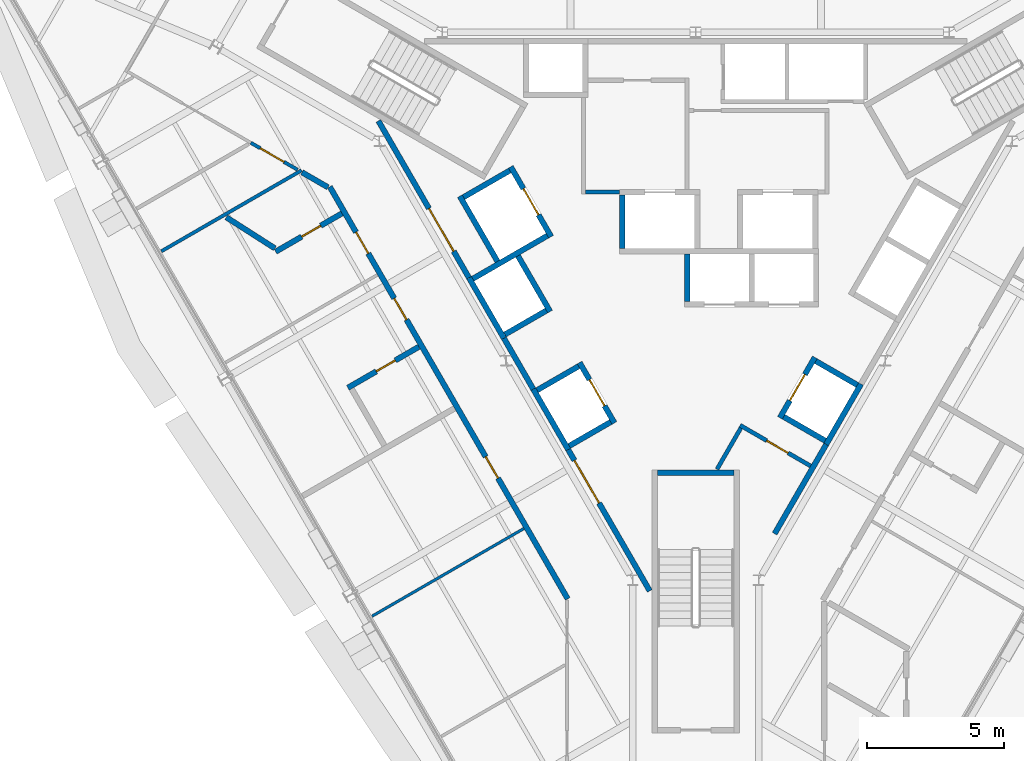
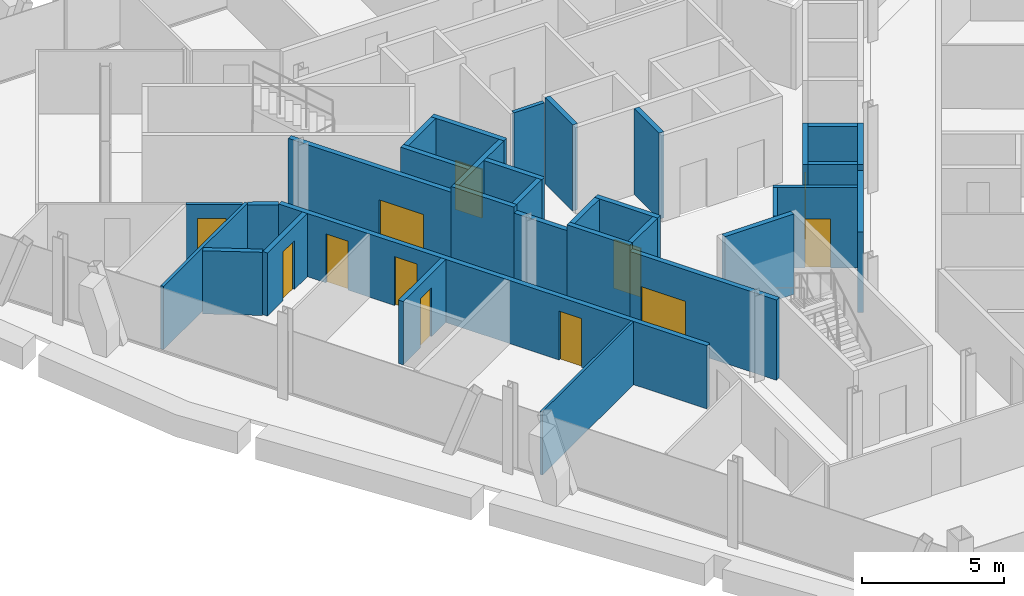
# One storey, part 10 of 15: 33 walls, 12 doors, 12 openings.
"""IFC4 building model written with IfcOpenShell, lengths in metres."""

from ifc_helpers import new_model, si_unit, direction, frame, frame_2d, origin, place, context, subcontext, project, spatial, rectangle, extrude, material, layer, layer_set, type_object, element, fill, save


model = new_model("IFC4")

# Units and contexts
model_context = context("Model", 3, precision=1e-05, world=origin(), true_north=direction((0.0, 1.0)))
body_context = subcontext(model_context, "Body", "Model", "MODEL_VIEW")
ifc_project = project(units=[si_unit("LENGTHUNIT", "METRE"), si_unit("AREAUNIT", "SQUARE_METRE"), si_unit("VOLUMEUNIT", "CUBIC_METRE"), si_unit("PLANEANGLEUNIT", "RADIAN"), si_unit("MASSUNIT", "GRAM", prefix="KILO")], contexts=[model_context])

# Site, building, storey
site_placement = place(None, origin())
site = spatial("IfcSite", under=ifc_project, at=site_placement, CompositionType="ELEMENT")
building_placement = place(site_placement, origin())
building = spatial("IfcBuilding", under=site, at=building_placement, Name="Verrane Prism Tower", CompositionType="ELEMENT")
storey_placement = place(building_placement, frame((0.0, 0.0, 250.800048828125)))
storey = spatial("IfcBuildingStorey", under=building, at=storey_placement, Name="L63", CompositionType="ELEMENT", Elevation=250.800048828125)

# Wall, opening, door
ifc_material_1 = material(Name="Gypsum board partition", Category="other")
ifc_layer_1 = layer(ifc_material_1, 0.199951171875)
ifc_layer_set_1 = layer_set([ifc_layer_1], Name="CW-200 core boundary wall 2 h")
wall_type_1 = type_object("IfcWallType", Name="CW-200 core boundary wall 2 h", PredefinedType="PARTITIONING", material=ifc_layer_set_1)
wall_1_placement = place(storey_placement, frame((-11.590576171875, 4.7548828125, 0.0), z_axis=(0.0, 0.0, 1.0), x_axis=(0.500043977787, -0.866000011708, 0.0)))
wall_1 = element("IfcWall", 1, at=wall_1_placement, inside=storey, type_object=wall_type_1, Name="Core boundary wall CW3-001", PredefinedType="PARTITIONING", context=body_context, shape_type="SweptSolid", body=[
    extrude(rectangle(XDim=6.61669921875, YDim=0.199951171875, at=frame_2d((3.308349609375, 0.0))), origin(), (0.0, 0.0, 1.0), 3.449951171875),
])
opening_1_placement = place(wall_1_placement, frame((3.695068359375, 0.0, 0.0)))
opening_1 = element("IfcOpeningElement", 2, at=opening_1_placement, cuts=wall_1, Name="Opening D62510", PredefinedType="OPENING", context=body_context, shape_type="SweptSolid", body=[
    extrude(rectangle(XDim=1.800048828125, YDim=2.10009765625, at=frame_2d((0.89990234375, 1.050048828125))), frame((0.0, 0.10986328125, 0.0), z_axis=(0.0, -1.0, 0.0), x_axis=(1.0, 0.0, 0.0)), (0.0, 0.0, 1.0), 0.219970703125),
])
ifc_material_2 = material(Name="Timber veneered door leaf", Category="wood")
door_type_1 = type_object("IfcDoorType", Name="DR-1800x2100 FD60 double leaf lift lobby", OperationType="NOTDEFINED", PredefinedType="DOOR", material=ifc_material_2)
door_1_placement = place(opening_1_placement, origin())
door_1 = element("IfcDoor", 3, at=door_1_placement, inside=storey, type_object=door_type_1, Name="Lift lobby door D62510", OperationType="DOUBLE_DOOR_SINGLE_SWING", OverallHeight=2.10009765625, OverallWidth=1.800048828125, PredefinedType="DOOR", context=body_context, shape_type="SweptSolid", body=[
    extrude(rectangle(XDim=1.800048828125, YDim=2.10009765625, at=frame_2d((0.89990234375, 1.050048828125))), frame((0.0, 0.02490234375, 0.0), z_axis=(0.0, -1.0, 0.0), x_axis=(1.0, 0.0, 0.0)), (0.0, 0.0, 1.0), 0.050048828125),
])
fill(opening_1, door_1)

# Wall
wall_2_placement = place(storey_placement, frame((-7.0048828125, -3.18701171875, 0.0), z_axis=(0.0, 0.0, 1.0), x_axis=(0.499689606989, -0.866204535123, 0.0)))
element("IfcWall", 4, at=wall_2_placement, inside=storey, type_object=wall_type_1, Name="Core boundary wall CW3-003", PredefinedType="PARTITIONING", context=body_context, shape_type="SweptSolid", body=[
    extrude(rectangle(XDim=2.144775390625, YDim=0.199951171875, at=frame_2d((1.072265625, 0.0))), origin(), (0.0, 0.0, 1.0), 3.449951171875),
])

# Wall, opening, door
wall_3_placement = place(storey_placement, frame((-4.655029296875, -7.257080078125, 0.0), z_axis=(0.0, 0.0, 1.0), x_axis=(0.499966124405, -0.866044960985, 0.0)))
wall_3 = element("IfcWall", 5, at=wall_3_placement, inside=storey, type_object=wall_type_1, Name="Core boundary wall CW3-004", PredefinedType="PARTITIONING", context=body_context, shape_type="SweptSolid", body=[
    extrude(rectangle(XDim=5.95556640625, YDim=0.199951171875, at=frame_2d((2.977783203125, 0.0))), origin(), (0.0, 0.0, 1.0), 3.449951171875),
])
opening_2_placement = place(wall_3_placement, frame((0.449951171875, 0.0, 0.0)))
opening_2 = element("IfcOpeningElement", 6, at=opening_2_placement, cuts=wall_3, Name="Opening D62511", PredefinedType="OPENING", context=body_context, shape_type="SweptSolid", body=[
    extrude(rectangle(XDim=1.800048828125, YDim=2.10009765625, at=frame_2d((0.89990234375, 1.050048828125))), frame((0.0, 0.10986328125, 0.0), z_axis=(0.0, -1.0, 0.0), x_axis=(1.0, 0.0, 0.0)), (0.0, 0.0, 1.0), 0.219970703125),
])
door_2_placement = place(opening_2_placement, origin())
door_2 = element("IfcDoor", 7, at=door_2_placement, inside=storey, type_object=door_type_1, Name="Lift lobby door D62511", OperationType="DOUBLE_DOOR_SINGLE_SWING", OverallHeight=2.10009765625, OverallWidth=1.800048828125, PredefinedType="DOOR", context=body_context, shape_type="SweptSolid", body=[
    extrude(rectangle(XDim=1.800048828125, YDim=2.10009765625, at=frame_2d((0.89990234375, 1.050048828125))), frame((0.0, 0.02490234375, 0.0), z_axis=(0.0, -1.0, 0.0), x_axis=(1.0, 0.0, 0.0)), (0.0, 0.0, 1.0), 0.050048828125),
])
fill(opening_2, door_2)

# Walls
wall_4_placement = place(storey_placement, frame((2.884033203125, -10.324951171875, 0.0), z_axis=(0.0, 0.0, 1.0), x_axis=(0.500094932804, 0.865970587366, 0.0)))
element("IfcWall", 8, at=wall_4_placement, inside=storey, type_object=wall_type_1, Name="Core boundary wall CW3-006", PredefinedType="PARTITIONING", context=body_context, shape_type="SweptSolid", body=[
    extrude(rectangle(XDim=3.763427734375, YDim=0.199951171875, at=frame_2d((1.8818359375, 0.0))), origin(), (0.0, 0.0, 1.0), 3.449951171875),
])
ifc_material_3 = material(Name="Concrete C40/50", Category="concrete")
ifc_layer_2 = layer(ifc_material_3, 0.199951171875)
ifc_layer_set_2 = layer_set([ifc_layer_2], Name="CW-200 stair core wall concrete C40/50 3 h")
wall_type_2 = type_object("IfcWallType", Name="CW-200 stair core wall concrete C40/50 3 h", PredefinedType="PARTITIONING", material=ifc_layer_set_2)
wall_5_placement = place(storey_placement, frame((-1.39990234375, -8.10009765625, 0.0), z_axis=(0.0, 0.0, 1.0), x_axis=(1.0, 0.0, 0.0)))
element("IfcWall", 9, at=wall_5_placement, inside=storey, type_object=wall_type_2, Name="Stair 3 enclosure wall", PredefinedType="PARTITIONING", context=body_context, shape_type="SweptSolid", body=[
    extrude(rectangle(XDim=2.7998046875, YDim=0.199951171875, at=frame_2d((1.39990234375, 0.0))), origin(), (0.0, 0.0, 1.0), 3.449951171875),
])
ifc_material_4 = material(Name="Gypsum board shaft wall assembly", Category="other")
ifc_layer_3 = layer(ifc_material_4, 0.199951171875)
ifc_layer_set_3 = layer_set([ifc_layer_3], Name="HW-200 lift shaft wall 2 h")
wall_type_3 = type_object("IfcWallType", Name="HW-200 lift shaft wall 2 h", PredefinedType="PARTITIONING", material=ifc_layer_set_3)
for number, where, z_axis, x_axis, name in (
    (10, (-4.61962890625, -7.118408203125, 0.0), (0.0, 0.0, 1.0), (0.866036909293, 0.499980071345, 0.0), "Lift shaft wall"),
    (11, (-5.794677734375, -5.083251953125, 0.0), (0.0, 0.0, 1.0), (0.866036909293, 0.499980071345, 0.0), "Lift shaft wall"),
    (12, (-6.9697265625, -3.048095703125, 0.0), (0.0, 0.0, 1.0), (0.866036909293, 0.499980071345, 0.0), "Lift shaft wall"),
):
    element("IfcWall", number, at=place(storey_placement, frame(where, z_axis=z_axis, x_axis=x_axis)), inside=storey, type_object=wall_type_3, Name=name, PredefinedType="PARTITIONING", context=body_context, shape_type="SweptSolid", body=[
        extrude(rectangle(XDim=1.75, YDim=0.199951171875, at=frame_2d((0.875, 0.0))), origin(), (0.0, 0.0, 1.0), 3.699951171875),
    ])
wall_6_placement = place(storey_placement, frame((-8.14453125, -1.012939453125, 0.0), z_axis=(0.0, 0.0, 1.0), x_axis=(0.866016494683, 0.500015430699, 0.0)))
element("IfcWall", 13, at=wall_6_placement, inside=storey, type_object=wall_type_3, Name="Lift shaft wall", PredefinedType="PARTITIONING", context=body_context, shape_type="SweptSolid", body=[
    extrude(rectangle(XDim=3.14990234375, YDim=0.199951171875, at=frame_2d((1.574951171875, 0.0))), origin(), (0.0, 0.0, 1.0), 3.699951171875),
])
wall_7_placement = place(storey_placement, frame((-8.48046875, 1.968505859375, 0.0), z_axis=(0.0, 0.0, 1.0), x_axis=(0.866000020948, 0.500043961785, 0.0)))
element("IfcWall", 14, at=wall_7_placement, inside=storey, type_object=wall_type_3, Name="Lift shaft wall", PredefinedType="PARTITIONING", context=body_context, shape_type="SweptSolid", body=[
    extrude(rectangle(XDim=1.949951171875, YDim=0.199951171875, at=frame_2d((0.97509765625, 0.0))), origin(), (0.0, 0.0, 1.0), 3.699951171875),
])
wall_8_placement = place(storey_placement, frame((4.766357421875, -7.064697265625, 0.0), z_axis=(0.0, 0.0, 1.0), x_axis=(0.499948979701, 0.866054858364, 0.0)))
element("IfcWall", 15, at=wall_8_placement, inside=storey, type_object=wall_type_3, Name="Lift shaft wall", PredefinedType="PARTITIONING", context=body_context, shape_type="SweptSolid", body=[
    extrude(rectangle(XDim=2.550048828125, YDim=0.199951171875, at=frame_2d((1.27490234375, 0.0))), origin(), (0.0, 0.0, 1.0), 3.699951171875),
])

# Wall, opening, door
wall_9_placement = place(storey_placement, frame((3.077392578125, -6.089599609375, 0.0), z_axis=(0.0, 0.0, 1.0), x_axis=(0.500062241894, 0.865989465428, 0.0)))
wall_9 = element("IfcWall", 16, at=wall_9_placement, inside=storey, type_object=wall_type_3, Name="Lift shaft wall", PredefinedType="PARTITIONING", context=body_context, shape_type="SweptSolid", body=[
    extrude(rectangle(XDim=2.550048828125, YDim=0.199951171875, at=frame_2d((1.27490234375, 0.0))), origin(), (0.0, 0.0, 1.0), 3.699951171875),
])
opening_3_placement = place(wall_9_placement, frame((0.72509765625, 0.0, 0.0)))
opening_3 = element("IfcOpeningElement", 17, at=opening_3_placement, cuts=wall_9, Name="Opening D62505", PredefinedType="OPENING", context=body_context, shape_type="SweptSolid", body=[
    extrude(rectangle(XDim=1.10009765625, YDim=2.10009765625, at=frame_2d((0.550048828125, 1.050048828125))), frame((0.0, 0.10986328125, 0.0), z_axis=(0.0, -1.0, 0.0), x_axis=(1.0, 0.0, 0.0)), (0.0, 0.0, 1.0), 0.219970703125),
])
ifc_material_5 = material(Name="Stainless steel sliding landing door", Category="steel")
door_type_2 = type_object("IfcDoorType", Name="LD-1100x2100 lift landing door FD90 sliding", OperationType="NOTDEFINED", PredefinedType="DOOR", material=ifc_material_5)
door_3_placement = place(opening_3_placement, origin())
door_3 = element("IfcDoor", 18, at=door_3_placement, inside=storey, type_object=door_type_2, Name="Bank B lift 3 landing door", OperationType="SLIDING_TO_LEFT", OverallHeight=2.10009765625, OverallWidth=1.10009765625, PredefinedType="DOOR", context=body_context, shape_type="SweptSolid", body=[
    extrude(rectangle(XDim=1.10009765625, YDim=2.10009765625, at=frame_2d((0.550048828125, 1.050048828125))), frame((0.0, 0.02490234375, 0.0), z_axis=(0.0, -1.0, 0.0), x_axis=(1.0, 0.0, 0.0)), (0.0, 0.0, 1.0), 0.050048828125),
])
fill(opening_3, door_3)

# Walls
wall_10_placement = place(storey_placement, frame((-0.304931640625, -1.85009765625, 0.0), z_axis=(0.0, 0.0, 1.0), x_axis=(0.0, 1.0, 0.0)))
element("IfcWall", 19, at=wall_10_placement, inside=storey, type_object=wall_type_3, Name="Lift shaft wall", PredefinedType="PARTITIONING", context=body_context, shape_type="SweptSolid", body=[
    extrude(rectangle(XDim=1.75, YDim=0.199951171875, at=frame_2d((0.875, 0.0))), origin(), (0.0, 0.0, 1.0), 3.699951171875),
])
wall_11_placement = place(storey_placement, frame((-2.68505859375, 0.10009765625, 0.0), z_axis=(0.0, 0.0, 1.0), x_axis=(0.0, 1.0, 0.0)))
element("IfcWall", 20, at=wall_11_placement, inside=storey, type_object=wall_type_3, Name="Lift shaft wall", PredefinedType="PARTITIONING", context=body_context, shape_type="SweptSolid", body=[
    extrude(rectangle(XDim=1.949951171875, YDim=0.199951171875, at=frame_2d((0.97509765625, 0.0))), origin(), (0.0, 0.0, 1.0), 3.699951171875),
])

# Wall, opening, door
wall_12_placement = place(storey_placement, frame((-5.280029296875, 0.525390625, 0.0), z_axis=(0.0, 0.0, 1.0), x_axis=(-0.500037662692, 0.866003658127, 0.0)))
wall_12 = element("IfcWall", 21, at=wall_12_placement, inside=storey, type_object=wall_type_3, Name="Lift shaft wall", PredefinedType="PARTITIONING", context=body_context, shape_type="SweptSolid", body=[
    extrude(rectangle(XDim=2.949951171875, YDim=0.199951171875, at=frame_2d((1.47509765625, 0.0))), origin(), (0.0, 0.0, 1.0), 3.699951171875),
])
opening_4_placement = place(wall_12_placement, frame((0.925048828125, 0.0, 0.0)))
opening_4 = element("IfcOpeningElement", 22, at=opening_4_placement, cuts=wall_12, Name="Opening D62509", PredefinedType="OPENING", context=body_context, shape_type="SweptSolid", body=[
    extrude(rectangle(XDim=1.10009765625, YDim=2.10009765625, at=frame_2d((0.550048828125, 1.050048828125))), frame((0.0, 0.10986328125, 0.0), z_axis=(0.0, -1.0, 0.0), x_axis=(1.0, 0.0, 0.0)), (0.0, 0.0, 1.0), 0.219970703125),
])
door_4_placement = place(opening_4_placement, origin())
door_4 = element("IfcDoor", 23, at=door_4_placement, inside=storey, type_object=door_type_2, Name="Service lift 1 landing door", OperationType="SLIDING_TO_LEFT", OverallHeight=2.10009765625, OverallWidth=1.10009765625, PredefinedType="DOOR", context=body_context, shape_type="SweptSolid", body=[
    extrude(rectangle(XDim=1.10009765625, YDim=2.10009765625, at=frame_2d((0.550048828125, 1.050048828125))), frame((0.0, 0.02490234375, 0.0), z_axis=(0.0, -1.0, 0.0), x_axis=(1.0, 0.0, 0.0)), (0.0, 0.0, 1.0), 0.050048828125),
])
fill(opening_4, door_4)

wall_13_placement = place(storey_placement, frame((-2.967529296875, -6.280029296875, 0.0), z_axis=(0.0, 0.0, 1.0), x_axis=(-0.499990435942, 0.866030925526, 0.0)))
wall_13 = element("IfcWall", 24, at=wall_13_placement, inside=storey, type_object=wall_type_3, Name="Lift shaft wall", PredefinedType="PARTITIONING", context=body_context, shape_type="SweptSolid", body=[
    extrude(rectangle(XDim=2.5498046875, YDim=0.199951171875, at=frame_2d((1.27490234375, 0.0))), origin(), (0.0, 0.0, 1.0), 3.699951171875),
])
opening_5_placement = place(wall_13_placement, frame((0.72509765625, 0.0, 0.0)))
opening_5 = element("IfcOpeningElement", 25, at=opening_5_placement, cuts=wall_13, Name="Opening D62506", PredefinedType="OPENING", context=body_context, shape_type="SweptSolid", body=[
    extrude(rectangle(XDim=1.10009765625, YDim=2.10009765625, at=frame_2d((0.550048828125, 1.050048828125))), frame((0.0, 0.10986328125, 0.0), z_axis=(0.0, -1.0, 0.0), x_axis=(1.0, 0.0, 0.0)), (0.0, 0.0, 1.0), 0.219970703125),
])
door_5_placement = place(opening_5_placement, origin())
door_5 = element("IfcDoor", 26, at=door_5_placement, inside=storey, type_object=door_type_2, Name="Bank B lift 4 landing door", OperationType="SLIDING_TO_RIGHT", OverallHeight=2.10009765625, OverallWidth=1.10009765625, PredefinedType="DOOR", context=body_context, shape_type="SweptSolid", body=[
    extrude(rectangle(XDim=1.10009765625, YDim=2.10009765625, at=frame_2d((0.550048828125, 1.050048828125))), frame((0.0, 0.02490234375, 0.0), z_axis=(0.0, -1.0, 0.0), x_axis=(1.0, 0.0, 0.0)), (0.0, 0.0, 1.0), 0.050048828125),
])
fill(opening_5, door_5)

# Walls
wall_14_placement = place(storey_placement, frame((-5.317626953125, -2.209716796875, 0.0), z_axis=(0.0, 0.0, 1.0), x_axis=(-0.499938297808, 0.866061024631, 0.0)))
element("IfcWall", 27, at=wall_14_placement, inside=storey, type_object=wall_type_3, Name="Lift shaft wall", PredefinedType="PARTITIONING", context=body_context, shape_type="SweptSolid", body=[
    extrude(rectangle(XDim=2.349853515625, YDim=0.199951171875, at=frame_2d((1.1748046875, 0.0))), origin(), (0.0, 0.0, 1.0), 3.699951171875),
])
wall_15_placement = place(storey_placement, frame((-7.241943359375, -0.37646484375, 0.0), z_axis=(0.0, 0.0, 1.0), x_axis=(-0.499996545922, 0.866027397988, 0.0)))
element("IfcWall", 28, at=wall_15_placement, inside=storey, type_object=wall_type_3, Name="Lift shaft wall", PredefinedType="PARTITIONING", context=body_context, shape_type="SweptSolid", body=[
    extrude(rectangle(XDim=2.75, YDim=0.199951171875, at=frame_2d((1.375, 0.0))), origin(), (0.0, 0.0, 1.0), 3.699951171875),
])
for number, where, z_axis, x_axis, name in (
    (29, (-4.65625, -7.255126953125, 0.0), (0.0, 0.0, 1.0), (-0.499990435942, 0.866030925526, 0.0), "Lift shaft wall"),
    (30, (-7.00634765625, -3.184814453125, 0.0), (0.0, 0.0, 1.0), (-0.499990435942, 0.866030925526, 0.0), "Lift shaft wall"),
):
    element("IfcWall", number, at=place(storey_placement, frame(where, z_axis=z_axis, x_axis=x_axis)), inside=storey, type_object=wall_type_3, Name=name, PredefinedType="PARTITIONING", context=body_context, shape_type="SweptSolid", body=[
        extrude(rectangle(XDim=2.5498046875, YDim=0.199951171875, at=frame_2d((1.27490234375, 0.0))), origin(), (0.0, 0.0, 1.0), 3.699951171875),
    ])
wall_16_placement = place(storey_placement, frame((5.904541015625, -4.892822265625, 0.0), z_axis=(0.0, 0.0, 1.0), x_axis=(-0.866002029911, 0.500040482552, 0.0)))
element("IfcWall", 31, at=wall_16_placement, inside=storey, type_object=wall_type_3, Name="Lift shaft wall", PredefinedType="PARTITIONING", context=body_context, shape_type="SweptSolid", body=[
    extrude(rectangle(XDim=1.749755859375, YDim=0.199951171875, at=frame_2d((0.875, 0.0))), origin(), (0.0, 0.0, 1.0), 3.699951171875),
])
wall_17_placement = place(storey_placement, frame((4.729736328125, -6.927978515625, 0.0), z_axis=(0.0, 0.0, 1.0), x_axis=(-0.866036909293, 0.499980071345, 0.0)))
element("IfcWall", 32, at=wall_17_placement, inside=storey, type_object=wall_type_3, Name="Lift shaft wall", PredefinedType="PARTITIONING", context=body_context, shape_type="SweptSolid", body=[
    extrude(rectangle(XDim=1.75, YDim=0.199951171875, at=frame_2d((0.875, 0.0))), origin(), (0.0, 0.0, 1.0), 3.699951171875),
])
ifc_material_6 = material(Name="Gypsum board partition", Category="other")
ifc_layer_4 = layer(ifc_material_6, 0.14990234375)
ifc_layer_set_4 = layer_set([ifc_layer_4], Name="LF-150 firefighting lobby wall 1 h")
wall_type_4 = type_object("IfcWallType", Name="LF-150 firefighting lobby wall 1 h", PredefinedType="PARTITIONING", material=ifc_layer_set_4)
wall_18_placement = place(storey_placement, frame((-4.02490234375, 2.159912109375, 0.0), z_axis=(0.0, 0.0, 1.0), x_axis=(1.0, 0.0, 0.0)))
element("IfcWall", 33, at=wall_18_placement, inside=storey, type_object=wall_type_4, Name="Firefighting lobby wall LF1-002", PredefinedType="PARTITIONING", context=body_context, shape_type="SweptSolid", body=[
    extrude(rectangle(XDim=1.23779296875, YDim=0.14990234375, at=frame_2d((0.618896484375, 0.0))), origin(), (0.0, 0.0, 1.0), 3.449951171875),
])
ifc_material_7 = material(Name="Gypsum board partition", Category="other")
ifc_layer_5 = layer(ifc_material_7, 0.10009765625)
ifc_layer_set_5 = layer_set([ifc_layer_5], Name="PW-100 room partition")
wall_type_5 = type_object("IfcWallType", Name="PW-100 room partition", PredefinedType="PARTITIONING", material=ifc_layer_set_5)
wall_19_placement = place(storey_placement, frame((-11.82080078125, -13.337158203125, 0.0), z_axis=(0.0, 0.0, 1.0), x_axis=(0.866013405822, 0.500020780506, 0.0)))
element("IfcWall", 34, at=wall_19_placement, inside=storey, type_object=wall_type_5, Name="Room partition 016", PredefinedType="PARTITIONING", context=body_context, shape_type="SweptSolid", body=[
    extrude(rectangle(XDim=6.399169921875, YDim=0.10009765625, at=frame_2d((3.19970703125, 0.0))), origin(), (0.0, 0.0, 1.0), 2.712890625),
])
ifc_material_8 = material(Name="Gypsum board partition", Category="other")
ifc_layer_6 = layer(ifc_material_8, 0.125)
ifc_layer_set_6 = layer_set([ifc_layer_6], Name="PW-125 corridor wall 1 h")
wall_type_6 = type_object("IfcWallType", Name="PW-125 corridor wall 1 h", PredefinedType="PARTITIONING", material=ifc_layer_set_6)
wall_20_placement = place(storey_placement, frame((-19.517822265625, -0.006103515625, 0.0), z_axis=(0.0, 0.0, 1.0), x_axis=(0.866072118736, 0.499919078599, 0.0)))
element("IfcWall", 35, at=wall_20_placement, inside=storey, type_object=wall_type_6, Name="Corridor wall 005", PredefinedType="PARTITIONING", context=body_context, shape_type="SweptSolid", body=[
    extrude(rectangle(XDim=5.91162109375, YDim=0.125, at=frame_2d((2.955810546875, 0.0))), origin(), (0.0, 0.0, 1.0), 2.712890625),
])

# Wall, opening, door
wall_21_placement = place(storey_placement, frame((-16.2529296875, 3.95703125, 0.0), z_axis=(0.0, 0.0, 1.0), x_axis=(0.866173232673, -0.499743865396, 0.0)))
wall_21 = element("IfcWall", 36, at=wall_21_placement, inside=storey, type_object=wall_type_6, Name="Corridor wall 008", PredefinedType="PARTITIONING", context=body_context, shape_type="SweptSolid", body=[
    extrude(rectangle(XDim=1.97412109375, YDim=0.125, at=frame_2d((0.987060546875, 0.0))), origin(), (0.0, 0.0, 1.0), 2.712890625),
])
opening_6_placement = place(wall_21_placement, frame((0.39990234375, 0.0, 0.0)))
opening_6 = element("IfcOpeningElement", 37, at=opening_6_placement, cuts=wall_21, Name="Opening D62027", PredefinedType="OPENING", context=body_context, shape_type="SweptSolid", body=[
    extrude(rectangle(XDim=1.0, YDim=2.10009765625, at=frame_2d((0.5, 1.050048828125))), frame((0.0, 0.072509765625, 0.0), z_axis=(0.0, -1.0, 0.0), x_axis=(1.0, 0.0, 0.0)), (0.0, 0.0, 1.0), 0.14501953125),
])
ifc_material_9 = material(Name="Timber veneered door leaf", Category="wood")
door_type_3 = type_object("IfcDoorType", Name="DR-1000x2100 FD20 single leaf unit", OperationType="NOTDEFINED", PredefinedType="DOOR", material=ifc_material_9)
door_6_placement = place(opening_6_placement, origin())
door_6 = element("IfcDoor", 38, at=door_6_placement, inside=storey, type_object=door_type_3, Name="Entrance Hall door", OperationType="SINGLE_SWING_LEFT", OverallHeight=2.10009765625, OverallWidth=1.0, PredefinedType="DOOR", context=body_context, shape_type="SweptSolid", body=[
    extrude(rectangle(XDim=1.0, YDim=2.10009765625, at=frame_2d((0.5, 1.050048828125))), frame((0.0, 0.02490234375, 0.0), z_axis=(0.0, -1.0, 0.0), x_axis=(1.0, 0.0, 0.0)), (0.0, 0.0, 1.0), 0.050048828125),
])
fill(opening_6, door_6)

# Wall
ifc_material_10 = material(Name="Gypsum board partition", Category="other")
ifc_layer_7 = layer(ifc_material_10, 0.199951171875)
ifc_layer_set_7 = layer_set([ifc_layer_7], Name="PW-200 plumbing wall")
wall_type_7 = type_object("IfcWallType", Name="PW-200 plumbing wall", PredefinedType="PARTITIONING", material=ifc_layer_set_7)
wall_22_placement = place(storey_placement, frame((-17.14892578125, 1.236083984375, 0.0), z_axis=(0.0, 0.0, 1.0), x_axis=(0.842376529327, -0.538889397593, 0.0)))
element("IfcWall", 39, at=wall_22_placement, inside=storey, type_object=wall_type_7, Name="Plumbing wall 006", PredefinedType="PARTITIONING", context=body_context, shape_type="SweptSolid", body=[
    extrude(rectangle(XDim=2.1083984375, YDim=0.199951171875, at=frame_2d((1.05419921875, 0.0))), origin(), (0.0, 0.0, 1.0), 2.712890625),
])

# Wall, opening, door
wall_23_placement = place(storey_placement, frame((-15.345703125, -0.02294921875, 0.0), z_axis=(0.0, 0.0, 1.0), x_axis=(0.865969158485, 0.500097407065, 0.0)))
wall_23 = element("IfcWall", 40, at=wall_23_placement, inside=storey, type_object=wall_type_7, Name="Plumbing wall 010", PredefinedType="PARTITIONING", context=body_context, shape_type="SweptSolid", body=[
    extrude(rectangle(XDim=2.79931640625, YDim=0.199951171875, at=frame_2d((1.399658203125, 0.0))), origin(), (0.0, 0.0, 1.0), 2.712890625),
])
opening_7_placement = place(wall_23_placement, frame((1.10009765625, 0.0, 0.0)))
opening_7 = element("IfcOpeningElement", 41, at=opening_7_placement, cuts=wall_23, Name="Opening D62020", PredefinedType="OPENING", context=body_context, shape_type="SweptSolid", body=[
    extrude(rectangle(XDim=0.800048828125, YDim=2.10009765625, at=frame_2d((0.39990234375, 1.050048828125))), frame((0.0, 0.10986328125, 0.0), z_axis=(0.0, -1.0, 0.0), x_axis=(1.0, 0.0, 0.0)), (0.0, 0.0, 1.0), 0.219970703125),
])
ifc_material_11 = material(Name="Timber veneered door leaf", Category="wood")
door_type_4 = type_object("IfcDoorType", Name="DR-800x2100 single leaf bath", OperationType="NOTDEFINED", PredefinedType="DOOR", material=ifc_material_11)
door_7_placement = place(opening_7_placement, origin())
door_7 = element("IfcDoor", 42, at=door_7_placement, inside=storey, type_object=door_type_4, Name="Bathroom door", OperationType="SINGLE_SWING_RIGHT", OverallHeight=2.10009765625, OverallWidth=0.800048828125, PredefinedType="DOOR", context=body_context, shape_type="SweptSolid", body=[
    extrude(rectangle(XDim=0.800048828125, YDim=2.10009765625, at=frame_2d((0.39990234375, 1.050048828125))), frame((0.0, 0.02490234375, 0.0), z_axis=(0.0, -1.0, 0.0), x_axis=(1.0, 0.0, 0.0)), (0.0, 0.0, 1.0), 0.050048828125),
])
fill(opening_7, door_7)

# Wall
wall_24_placement = place(storey_placement, frame((-14.380615234375, 2.876708984375, 0.0), z_axis=(0.0, 0.0, 1.0), x_axis=(0.866215333661, -0.499670887416, 0.0)))
element("IfcWall", 43, at=wall_24_placement, inside=storey, type_object=wall_type_7, Name="Plumbing wall 011", PredefinedType="PARTITIONING", context=body_context, shape_type="SweptSolid", body=[
    extrude(rectangle(XDim=1.093017578125, YDim=0.199951171875, at=frame_2d((0.54638671875, 0.0))), origin(), (0.0, 0.0, 1.0), 2.712890625),
])

# Wall, openings, doors
wall_25_placement = place(storey_placement, frame((-4.675048828125, -12.706298828125, 0.0), z_axis=(0.0, 0.0, 1.0), x_axis=(-0.499972470324, 0.866041297467, 0.0)))
wall_25 = element("IfcWall", 44, at=wall_25_placement, inside=storey, type_object=wall_type_7, Name="Plumbing wall 013", PredefinedType="PARTITIONING", context=body_context, shape_type="SweptSolid", body=[
    extrude(rectangle(XDim=17.384765625, YDim=0.199951171875, at=frame_2d((8.6923828125, 0.0))), origin(), (0.0, 0.0, 1.0), 2.712890625),
])
opening_8_placement = place(wall_25_placement, frame((14.56982421875, 0.0, 0.0)))
opening_8 = element("IfcOpeningElement", 45, at=opening_8_placement, cuts=wall_25, Name="Opening D62019", PredefinedType="OPENING", context=body_context, shape_type="SweptSolid", body=[
    extrude(rectangle(XDim=0.89990234375, YDim=2.10009765625, at=frame_2d((0.449951171875, 1.050048828125))), frame((0.0, 0.10986328125, 0.0), z_axis=(0.0, -1.0, 0.0), x_axis=(1.0, 0.0, 0.0)), (0.0, 0.0, 1.0), 0.219970703125),
])
opening_9_placement = place(wall_25_placement, frame((11.77685546875, 0.0, 0.0)))
opening_9 = element("IfcOpeningElement", 46, at=opening_9_placement, cuts=wall_25, Name="Opening D62021", PredefinedType="OPENING", context=body_context, shape_type="SweptSolid", body=[
    extrude(rectangle(XDim=0.89990234375, YDim=2.10009765625, at=frame_2d((0.449951171875, 1.050048828125))), frame((0.0, 0.10986328125, 0.0), z_axis=(0.0, -1.0, 0.0), x_axis=(1.0, 0.0, 0.0)), (0.0, 0.0, 1.0), 0.219970703125),
])
opening_10_placement = place(wall_25_placement, frame((5.0947265625, 0.0, 0.0)))
opening_10 = element("IfcOpeningElement", 47, at=opening_10_placement, cuts=wall_25, Name="Opening D62023", PredefinedType="OPENING", context=body_context, shape_type="SweptSolid", body=[
    extrude(rectangle(XDim=0.89990234375, YDim=2.10009765625, at=frame_2d((0.449951171875, 1.050048828125))), frame((0.0, 0.10986328125, 0.0), z_axis=(0.0, -1.0, 0.0), x_axis=(1.0, 0.0, 0.0)), (0.0, 0.0, 1.0), 0.219970703125),
])
ifc_material_12 = material(Name="Timber veneered door leaf", Category="wood")
door_type_5 = type_object("IfcDoorType", Name="DR-900x2100 single leaf inner", OperationType="NOTDEFINED", PredefinedType="DOOR", material=ifc_material_12)
door_8_placement = place(opening_8_placement, origin())
door_8 = element("IfcDoor", 48, at=door_8_placement, inside=storey, type_object=door_type_5, Name="Bedroom door", OperationType="SINGLE_SWING_RIGHT", OverallHeight=2.10009765625, OverallWidth=0.89990234375, PredefinedType="DOOR", context=body_context, shape_type="SweptSolid", body=[
    extrude(rectangle(XDim=0.89990234375, YDim=2.10009765625, at=frame_2d((0.449951171875, 1.050048828125))), frame((0.0, 0.02490234375, 0.0), z_axis=(0.0, -1.0, 0.0), x_axis=(1.0, 0.0, 0.0)), (0.0, 0.0, 1.0), 0.050048828125),
])
fill(opening_8, door_8)
door_9_placement = place(opening_9_placement, origin())
door_9 = element("IfcDoor", 49, at=door_9_placement, inside=storey, type_object=door_type_5, Name="Master Bedroom door", OperationType="SINGLE_SWING_RIGHT", OverallHeight=2.10009765625, OverallWidth=0.89990234375, PredefinedType="DOOR", context=body_context, shape_type="SweptSolid", body=[
    extrude(rectangle(XDim=0.89990234375, YDim=2.10009765625, at=frame_2d((0.449951171875, 1.050048828125))), frame((0.0, 0.02490234375, 0.0), z_axis=(0.0, -1.0, 0.0), x_axis=(1.0, 0.0, 0.0)), (0.0, 0.0, 1.0), 0.050048828125),
])
fill(opening_9, door_9)
ifc_material_13 = material(Name="Timber veneered door leaf", Category="wood")
door_type_6 = type_object("IfcDoorType", Name="DR-900x2100 single leaf unit", OperationType="NOTDEFINED", PredefinedType="DOOR", material=ifc_material_13)
door_10_placement = place(opening_10_placement, origin())
door_10 = element("IfcDoor", 50, at=door_10_placement, inside=storey, type_object=door_type_6, Name="Study door", OperationType="SINGLE_SWING_RIGHT", OverallHeight=2.10009765625, OverallWidth=0.89990234375, PredefinedType="DOOR", context=body_context, shape_type="SweptSolid", body=[
    extrude(rectangle(XDim=0.89990234375, YDim=2.10009765625, at=frame_2d((0.449951171875, 1.050048828125))), frame((0.0, 0.02490234375, 0.0), z_axis=(0.0, -1.0, 0.0), x_axis=(1.0, 0.0, 0.0)), (0.0, 0.0, 1.0), 0.050048828125),
])
fill(opening_10, door_10)

# Wall, opening, door
wall_26_placement = place(storey_placement, frame((-10.113037109375, -3.49658203125, 0.0), z_axis=(0.0, 0.0, 1.0), x_axis=(-0.866032178313, -0.499988265988, 0.0)))
wall_26 = element("IfcWall", 51, at=wall_26_placement, inside=storey, type_object=wall_type_7, Name="Plumbing wall 015", PredefinedType="PARTITIONING", context=body_context, shape_type="SweptSolid", body=[
    extrude(rectangle(XDim=2.99462890625, YDim=0.199951171875, at=frame_2d((1.497314453125, 0.0))), origin(), (0.0, 0.0, 1.0), 2.712890625),
])
opening_11_placement = place(wall_26_placement, frame((0.994873046875, 0.0, 0.0)))
opening_11 = element("IfcOpeningElement", 52, at=opening_11_placement, cuts=wall_26, Name="Opening D62022", PredefinedType="OPENING", context=body_context, shape_type="SweptSolid", body=[
    extrude(rectangle(XDim=0.800048828125, YDim=2.10009765625, at=frame_2d((0.39990234375, 1.050048828125))), frame((0.0, 0.10986328125, 0.0), z_axis=(0.0, -1.0, 0.0), x_axis=(1.0, 0.0, 0.0)), (0.0, 0.0, 1.0), 0.219970703125),
])
door_11_placement = place(opening_11_placement, origin())
door_11 = element("IfcDoor", 53, at=door_11_placement, inside=storey, type_object=door_type_4, Name="Master Bathroom door", OperationType="SINGLE_SWING_LEFT", OverallHeight=2.10009765625, OverallWidth=0.800048828125, PredefinedType="DOOR", context=body_context, shape_type="SweptSolid", body=[
    extrude(rectangle(XDim=0.800048828125, YDim=2.10009765625, at=frame_2d((0.39990234375, 1.050048828125))), frame((0.0, 0.02490234375, 0.0), z_axis=(0.0, -1.0, 0.0), x_axis=(1.0, 0.0, 0.0)), (0.0, 0.0, 1.0), 0.050048828125),
])
fill(opening_11, door_11)

# Wall
ifc_material_14 = material(Name="Gypsum board partition", Category="other")
ifc_layer_8 = layer(ifc_material_14, 0.14990234375)
ifc_layer_set_8 = layer_set([ifc_layer_8], Name="RS-150 riser enclosure wall 1 h")
wall_type_8 = type_object("IfcWallType", Name="RS-150 riser enclosure wall 1 h", PredefinedType="PARTITIONING", material=ifc_layer_set_8)
wall_27_placement = place(storey_placement, frame((0.779541015625, -7.9697265625, 0.0), z_axis=(0.0, 0.0, 1.0), x_axis=(0.500022437694, 0.866012448988, 0.0)))
element("IfcWall", 54, at=wall_27_placement, inside=storey, type_object=wall_type_8, Name="Riser wall RS3-001", PredefinedType="PARTITIONING", context=body_context, shape_type="SweptSolid", body=[
    extrude(rectangle(XDim=1.73779296875, YDim=0.14990234375, at=frame_2d((0.868896484375, 0.0))), origin(), (0.0, 0.0, 1.0), 3.449951171875),
])

# Wall, opening, door
wall_28_placement = place(storey_placement, frame((4.197509765625, -7.85009765625, 0.0), z_axis=(0.0, 0.0, 1.0), x_axis=(-0.866017493347, 0.500013701029, 0.0)))
wall_28 = element("IfcWall", 55, at=wall_28_placement, inside=storey, type_object=wall_type_8, Name="Riser wall RS3-004", PredefinedType="PARTITIONING", context=body_context, shape_type="SweptSolid", body=[
    extrude(rectangle(XDim=2.97509765625, YDim=0.14990234375, at=frame_2d((1.487548828125, 0.0))), origin(), (0.0, 0.0, 1.0), 3.449951171875),
])
opening_12_placement = place(wall_28_placement, frame((0.949951171875, 0.0, 0.0)))
opening_12 = element("IfcOpeningElement", 56, at=opening_12_placement, cuts=wall_28, Name="Opening D62516", PredefinedType="OPENING", context=body_context, shape_type="SweptSolid", body=[
    extrude(rectangle(XDim=0.89990234375, YDim=2.10009765625, at=frame_2d((0.449951171875, 1.050048828125))), frame((0.0, 0.0849609375, 0.0), z_axis=(0.0, -1.0, 0.0), x_axis=(1.0, 0.0, 0.0)), (0.0, 0.0, 1.0), 0.169921875),
])
ifc_material_15 = material(Name="Timber veneered door leaf", Category="wood")
door_type_7 = type_object("IfcDoorType", Name="DR-900x2100 FD20 single leaf store", OperationType="NOTDEFINED", PredefinedType="DOOR", material=ifc_material_15)
door_12_placement = place(opening_12_placement, origin())
door_12 = element("IfcDoor", 57, at=door_12_placement, inside=storey, type_object=door_type_7, Name="Room door D62516", OperationType="SINGLE_SWING_RIGHT", OverallHeight=2.10009765625, OverallWidth=0.89990234375, PredefinedType="DOOR", context=body_context, shape_type="SweptSolid", body=[
    extrude(rectangle(XDim=0.89990234375, YDim=2.10009765625, at=frame_2d((0.449951171875, 1.050048828125))), frame((0.0, 0.02490234375, 0.0), z_axis=(0.0, -1.0, 0.0), x_axis=(1.0, 0.0, 0.0)), (0.0, 0.0, 1.0), 0.050048828125),
])
fill(opening_12, door_12)

save(model, "model.ifc")
